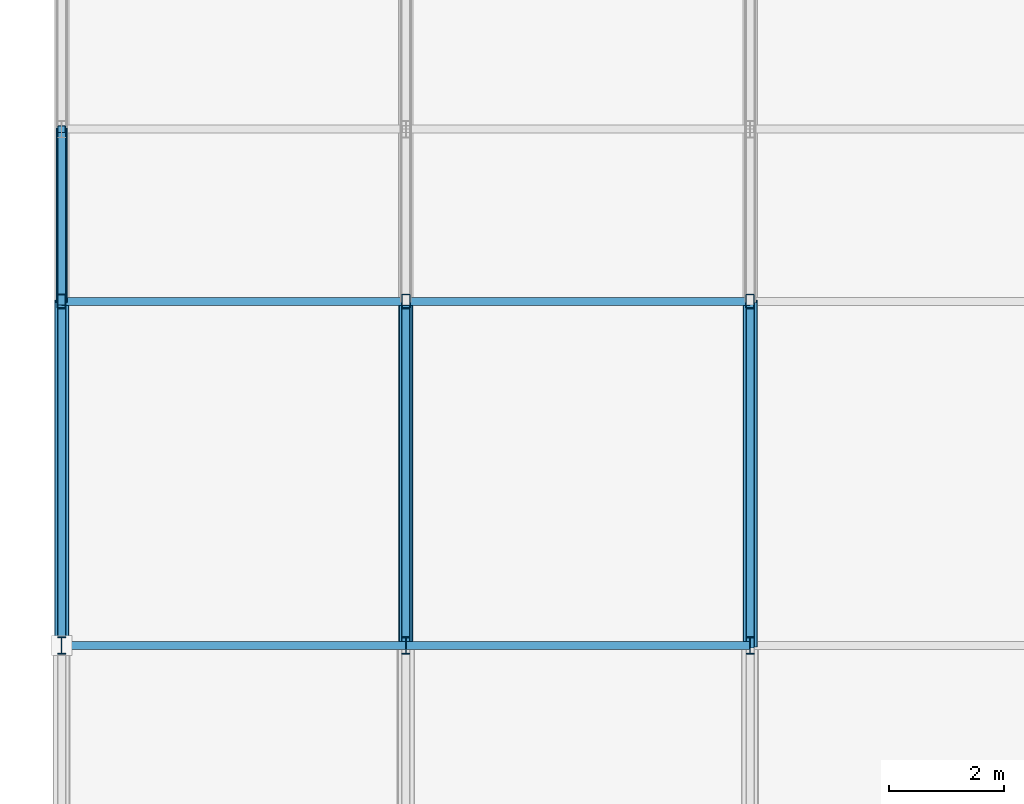
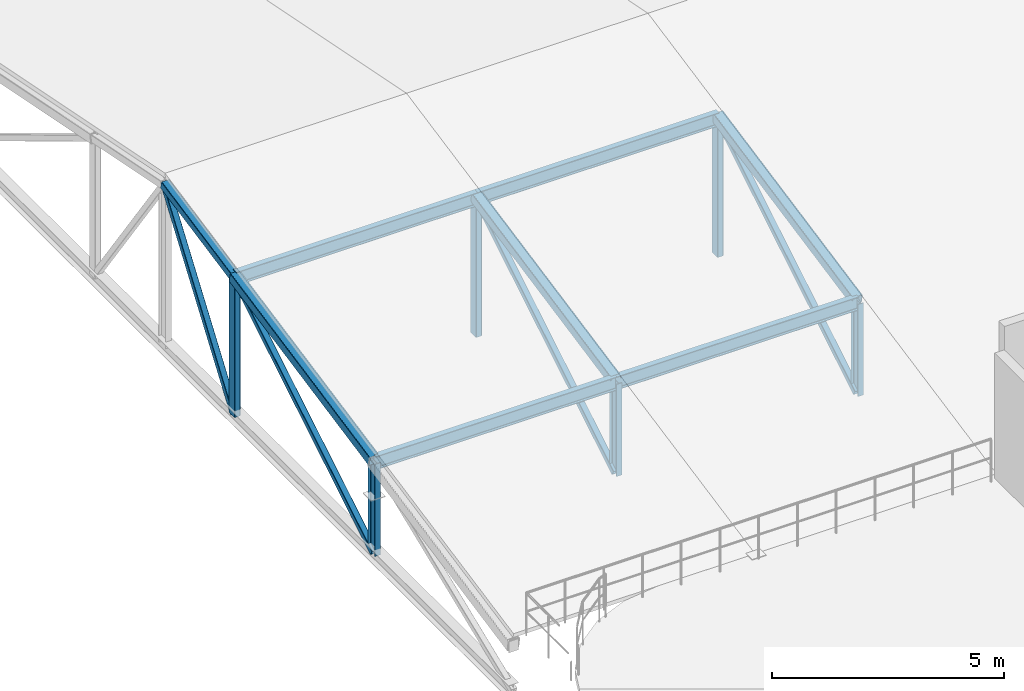
# One storey, part 21 of 83: 14 members, 4 beams.
"""IFC4 building model written with IfcOpenShell, lengths in metres."""

from ifc_helpers import new_model, si_unit, direction, frame, origin, origin_2d, place, context, subcontext, project, spatial, hollow_rectangle, i_section, extrude, material, material_profile, profile_set, type_object, element, save


model = new_model("IFC4")

# Units and contexts
model_context = context("Model", 3, precision=1e-05, world=origin(), true_north=direction((0.0, 1.0)))
body_context = subcontext(model_context, "Body", "Model", "MODEL_VIEW")
ifc_project = project(units=[si_unit("LENGTHUNIT", "METRE"), si_unit("AREAUNIT", "SQUARE_METRE"), si_unit("VOLUMEUNIT", "CUBIC_METRE"), si_unit("PLANEANGLEUNIT", "RADIAN"), si_unit("MASSUNIT", "GRAM", prefix="KILO")], contexts=[model_context])

# Site, building, storey
site_placement = place(None, origin())
site = spatial("IfcSite", under=ifc_project, at=site_placement, CompositionType="ELEMENT")
building_placement = place(site_placement, origin())
building = spatial("IfcBuilding", under=site, at=building_placement, Name="Varnakota Square Police Headquarters", CompositionType="ELEMENT")
storey_placement = place(building_placement, frame((0.0, 0.0, 18.0)))
storey = spatial("IfcBuildingStorey", under=building, at=storey_placement, Name="L04", CompositionType="ELEMENT", Elevation=18.0)

# Beams
ifc_material = material(Name="Steel IS 2062 Grade 350", Category="steel")
ifc_material_profile_1 = material_profile(ifc_material, hollow_rectangle(XDim=0.199951171875, YDim=0.199951171875, WallThickness=0.010009765625, InnerFilletRadius=0.010009765625, OuterFilletRadius=0.02001953125, at=origin_2d()), Name="SHS 200x200x10")
ifc_profile_set_1 = profile_set([ifc_material_profile_1], Name="Steel IS 2062 Grade 350")
beam_type_1 = type_object("IfcBeamType", Name="BM-TR-SHS200", PredefinedType="BEAM", material=ifc_profile_set_1)
beam_placement = place(storey_placement, frame((6.0, 87.0, 2.1201171875), z_axis=(0.0, 0.980589882373, 0.196070096109), x_axis=(-1.0, 0.0, 0.0)))
element("IfcBeam", 1, at=beam_placement, inside=storey, type_object=beam_type_1, Name="ROOF TRUSS top chord T1-P3", PredefinedType="BEAM", context=body_context, shape_type="SweptSolid", body=[
    extrude(hollow_rectangle(XDim=0.199951171875, YDim=0.199951171875, WallThickness=0.010009765625, InnerFilletRadius=0.010009765625, OuterFilletRadius=0.02001953125, at=origin_2d()), origin(), (0.0, 0.0, 1.0), 3.059326171875),
])
ifc_material_profile_2 = material_profile(ifc_material, hollow_rectangle(XDim=0.25, YDim=0.25, WallThickness=0.011962890625, InnerFilletRadius=0.011962890625, OuterFilletRadius=0.02392578125, at=origin_2d()), Name="SHS 250x250x12")
ifc_profile_set_2 = profile_set([ifc_material_profile_2], Name="Steel IS 2062 Grade 350")
beam_type_2 = type_object("IfcBeamType", Name="BM-TR-SHS250", PredefinedType="BEAM", material=ifc_profile_set_2)
for number, where, z_axis, x_axis, name in (
    (2, (6.0, 81.0, 0.919921875), (0.0, 0.980574536798, 0.196146827104), (-1.0, 0.0, 0.0), "ROOF TRUSS top chord T1-P2"),
    (3, (12.0, 81.0, 0.919921875), (0.0, 0.980574536798, 0.196146827104), (-1.0, 0.0, 0.0), "ROOF TRUSS top chord T2-P2"),
    (4, (18.0, 81.0, 0.919921875), (0.0, 0.980574536798, 0.196146827104), (-1.0, 0.0, 0.0), "ROOF TRUSS top chord T3-P2"),
):
    element("IfcBeam", number, at=place(storey_placement, frame(where, z_axis=z_axis, x_axis=x_axis)), inside=storey, type_object=beam_type_2, Name=name, PredefinedType="BEAM", context=body_context, shape_type="SweptSolid", body=[
        extrude(hollow_rectangle(XDim=0.25, YDim=0.25, WallThickness=0.011962890625, InnerFilletRadius=0.011962890625, OuterFilletRadius=0.02392578125, at=origin_2d()), origin(), (0.0, 0.0, 1.0), 6.118896484375),
    ])

# Members
ifc_material_profile_3 = material_profile(ifc_material, hollow_rectangle(XDim=0.14990234375, YDim=0.14990234375, WallThickness=0.008056640625, InnerFilletRadius=0.008056640625, OuterFilletRadius=0.01611328125, at=origin_2d()), Name="SHS 150x150x8")
ifc_profile_set_3 = profile_set([ifc_material_profile_3], Name="Steel IS 2062 Grade 350")
member_type_1 = type_object("IfcMemberType", Name="MEM-BR-SHS150", PredefinedType="BRACE", material=ifc_profile_set_3)
member_1_placement = place(storey_placement, frame((6.0, 81.0, -1.5), z_axis=(0.0, 0.856223797044, 0.516605080671), x_axis=(-1.0, 0.0, 0.0)))
element("IfcMember", 5, at=member_1_placement, inside=storey, type_object=member_type_1, Name="ROOF TRUSS diagonal web T1-P2", PredefinedType="BRACE", context=body_context, shape_type="SweptSolid", body=[
    extrude(hollow_rectangle(XDim=0.14990234375, YDim=0.14990234375, WallThickness=0.008056640625, InnerFilletRadius=0.008056640625, OuterFilletRadius=0.01611328125, at=origin_2d()), origin(), (0.0, 0.0, 1.0), 7.007568359375),
])
member_2_placement = place(storey_placement, frame((6.0, 87.0, -1.5), z_axis=(0.0, 0.579412433141, 0.815034497627), x_axis=(-1.0, 0.0, 0.0)))
element("IfcMember", 6, at=member_2_placement, inside=storey, type_object=member_type_1, Name="ROOF TRUSS diagonal web T1-P3", PredefinedType="BRACE", context=body_context, shape_type="SweptSolid", body=[
    extrude(hollow_rectangle(XDim=0.14990234375, YDim=0.14990234375, WallThickness=0.008056640625, InnerFilletRadius=0.008056640625, OuterFilletRadius=0.01611328125, at=origin_2d()), origin(), (0.0, 0.0, 1.0), 5.177734375),
])
for number, where, z_axis, x_axis, name in (
    (7, (12.0, 81.0, -1.5), (0.0, 0.856223797044, 0.516605080671), (-1.0, 0.0, 0.0), "ROOF TRUSS diagonal web T2-P2"),
    (8, (18.0, 81.0, -1.5), (0.0, 0.856223797044, 0.516605080671), (-1.0, 0.0, 0.0), "ROOF TRUSS diagonal web T3-P2"),
):
    element("IfcMember", number, at=place(storey_placement, frame(where, z_axis=z_axis, x_axis=x_axis)), inside=storey, type_object=member_type_1, Name=name, PredefinedType="BRACE", context=body_context, shape_type="SweptSolid", body=[
        extrude(hollow_rectangle(XDim=0.14990234375, YDim=0.14990234375, WallThickness=0.008056640625, InnerFilletRadius=0.008056640625, OuterFilletRadius=0.01611328125, at=origin_2d()), origin(), (0.0, 0.0, 1.0), 7.007568359375),
    ])
ifc_material_profile_4 = material_profile(ifc_material, i_section(OverallWidth=0.139892578125, OverallDepth=0.35009765625, WebThickness=0.008056640625, FlangeThickness=0.01416015625, FilletRadius=0.013916015625, at=origin_2d()), Name="ISMB 350")
ifc_profile_set_4 = profile_set([ifc_material_profile_4], Name="Steel IS 2062 Grade 350")
member_type_2 = type_object("IfcMemberType", Name="MEM-PUR-ISMB350", PredefinedType="PURLIN", material=ifc_profile_set_4)
for number, where, z_axis, x_axis, name in (
    (9, (6.0, 81.0, 0.875), (1.0, 0.0, 0.0), (0.0, 1.0, 0.0), "Tactical hall purlin B1-Y81"),
    (10, (6.0, 87.0, 2.074951171875), (1.0, 0.0, 0.0), (0.0, 1.0, 0.0), "Tactical hall purlin B1-Y87"),
    (11, (12.0, 81.0, 0.875), (1.0, 0.0, 0.0), (0.0, 1.0, 0.0), "Tactical hall purlin B2-Y81"),
    (12, (12.0, 87.0, 2.074951171875), (1.0, 0.0, 0.0), (0.0, 1.0, 0.0), "Tactical hall purlin B2-Y87"),
):
    element("IfcMember", number, at=place(storey_placement, frame(where, z_axis=z_axis, x_axis=x_axis)), inside=storey, type_object=member_type_2, Name=name, PredefinedType="PURLIN", context=body_context, shape_type="SweptSolid", body=[
        extrude(i_section(OverallWidth=0.139892578125, OverallDepth=0.35009765625, WebThickness=0.008056640625, FlangeThickness=0.01416015625, FilletRadius=0.013916015625, at=origin_2d()), origin(), (0.0, 0.0, 1.0), 6.0),
    ])
ifc_material_profile_5 = material_profile(ifc_material, i_section(OverallWidth=0.139892578125, OverallDepth=0.300048828125, WebThickness=0.0078125, FlangeThickness=0.01318359375, FilletRadius=0.013916015625, at=origin_2d()), Name="ISMB 300")
ifc_profile_set_5 = profile_set([ifc_material_profile_5], Name="Steel IS 2062 Grade 350")
member_type_3 = type_object("IfcMemberType", Name="MEM-STR-ISMB300", PredefinedType="STRUT", material=ifc_profile_set_5)
for number, where, z_axis, x_axis, name in (
    (13, (6.0, 81.0, -1.5), (0.0, 0.0, 1.0), (1.0, 0.0, 0.0), "ROOF TRUSS vertical strut T1-V1"),
    (14, (12.0, 81.0, -1.5), (0.0, 0.0, 1.0), (1.0, 0.0, 0.0), "ROOF TRUSS vertical strut T2-V1"),
    (15, (18.0, 81.0, -1.5), (0.0, 0.0, 1.0), (1.0, 0.0, 0.0), "ROOF TRUSS vertical strut T3-V1"),
):
    element("IfcMember", number, at=place(storey_placement, frame(where, z_axis=z_axis, x_axis=x_axis)), inside=storey, type_object=member_type_3, Name=name, PredefinedType="STRUT", context=body_context, shape_type="SweptSolid", body=[
        extrude(i_section(OverallWidth=0.139892578125, OverallDepth=0.300048828125, WebThickness=0.0078125, FlangeThickness=0.01318359375, FilletRadius=0.013916015625, at=origin_2d()), origin(), (0.0, 0.0, 1.0), 2.419921875),
    ])
ifc_material_profile_6 = material_profile(ifc_material, hollow_rectangle(XDim=0.14990234375, YDim=0.25, WallThickness=0.010009765625, InnerFilletRadius=0.010009765625, OuterFilletRadius=0.02001953125, at=origin_2d()), Name="RHS 250x150x10")
ifc_profile_set_6 = profile_set([ifc_material_profile_6], Name="Steel IS 2062 Grade 350")
member_type_4 = type_object("IfcMemberType", Name="MEM-STR-RHS250", PredefinedType="STRUT", material=ifc_profile_set_6)
for number, where, z_axis, x_axis, name in (
    (16, (6.0, 87.0, -1.5), (0.0, 0.0, 1.0), (1.0, 0.0, 0.0), "ROOF TRUSS vertical strut T1-V2"),
    (17, (12.0, 87.0, -1.5), (0.0, 0.0, 1.0), (1.0, 0.0, 0.0), "ROOF TRUSS vertical strut T2-V2"),
    (18, (18.0, 87.0, -1.5), (0.0, 0.0, 1.0), (1.0, 0.0, 0.0), "ROOF TRUSS vertical strut T3-V2"),
):
    element("IfcMember", number, at=place(storey_placement, frame(where, z_axis=z_axis, x_axis=x_axis)), inside=storey, type_object=member_type_4, Name=name, PredefinedType="STRUT", context=body_context, shape_type="SweptSolid", body=[
        extrude(hollow_rectangle(XDim=0.14990234375, YDim=0.25, WallThickness=0.010009765625, InnerFilletRadius=0.010009765625, OuterFilletRadius=0.02001953125, at=origin_2d()), origin(), (0.0, 0.0, 1.0), 3.6201171875),
    ])

save(model, "model.ifc")
